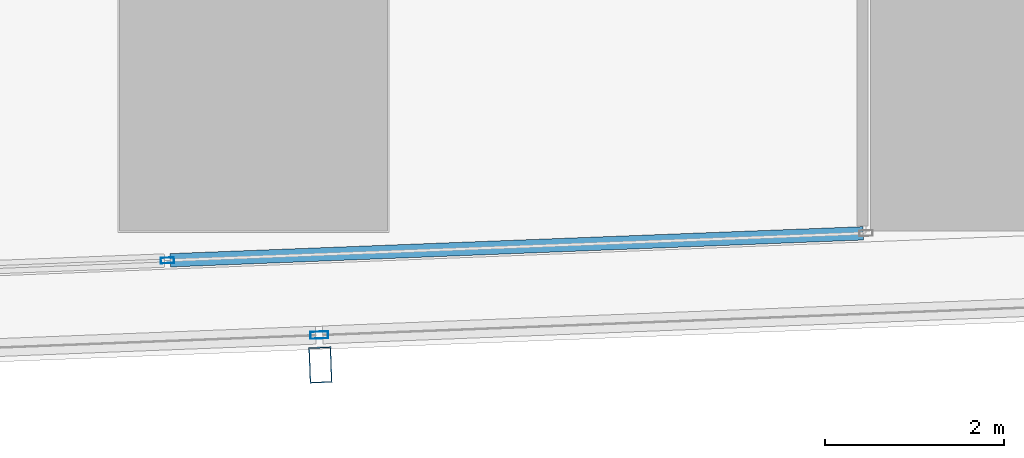
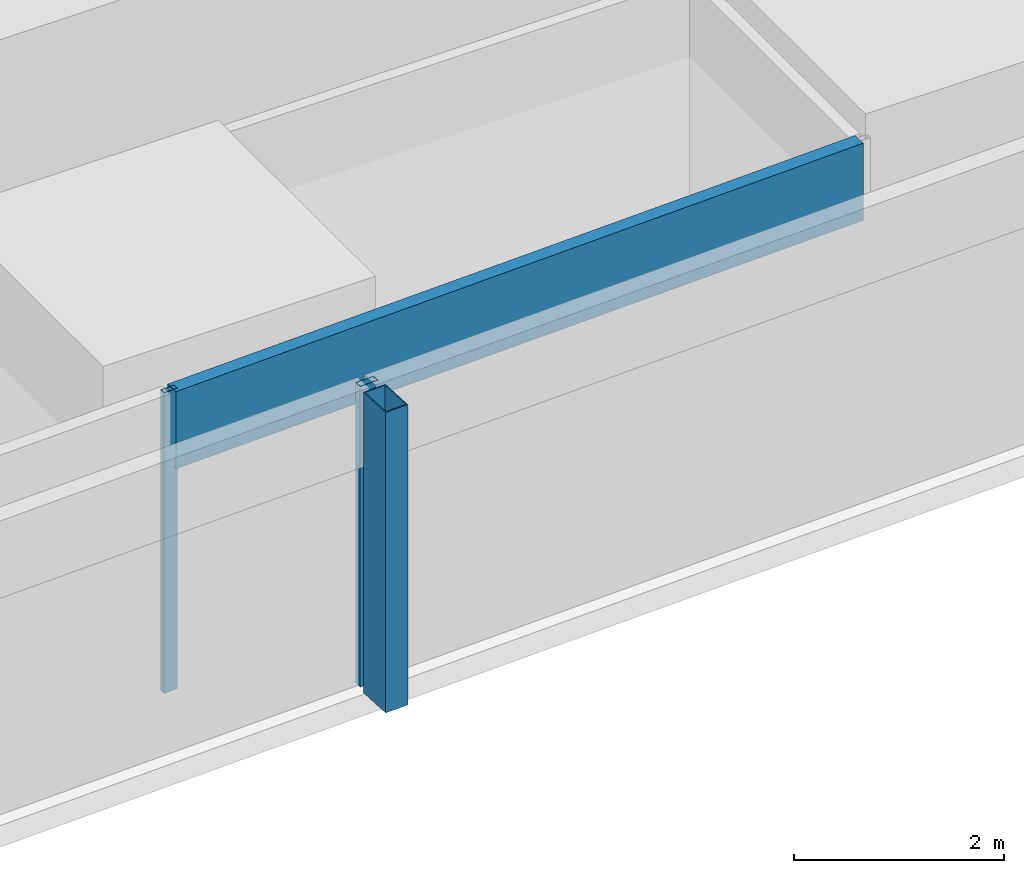
# One storey, part 9 of 39: 4 members, 2 elements without a shape of their own.
"""IFC4 building model written with IfcOpenShell, lengths in metres."""

from ifc_helpers import new_model, si_unit, direction, frame, origin, origin_2d, place, context, subcontext, project, spatial, hollow_rectangle, extrude, material, material_profile, profile_set, type_object, element, aggregate, save


model = new_model("IFC4")

# Units and contexts
model_context = context("Model", 3, precision=1e-05, world=origin(), true_north=direction((0.0, 1.0)))
body_context = subcontext(model_context, "Body", "Model", "MODEL_VIEW")
ifc_project = project(units=[si_unit("LENGTHUNIT", "METRE"), si_unit("AREAUNIT", "SQUARE_METRE"), si_unit("VOLUMEUNIT", "CUBIC_METRE"), si_unit("PLANEANGLEUNIT", "RADIAN"), si_unit("MASSUNIT", "GRAM", prefix="KILO")], contexts=[model_context])

# Site, building, storey
site_placement = place(None, origin())
site = spatial("IfcSite", under=ifc_project, at=site_placement, CompositionType="ELEMENT")
building_placement = place(site_placement, origin())
building = spatial("IfcBuilding", under=site, at=building_placement, Name="Rekha Terrace Tower", CompositionType="ELEMENT")
storey_placement = place(building_placement, frame((0.0, 0.0, 155.300048828125)))
storey = spatial("IfcBuildingStorey", under=building, at=storey_placement, Name="L39", CompositionType="ELEMENT", Elevation=155.300048828125)

# Curtain wall, member
ifc_material_1 = material(Name="Aluminium framing", Category="aluminium")
curtain_wall_type_1 = type_object("IfcCurtainWallType", Name="CW2 double skin outer glazing", PredefinedType="USERDEFINED", material=ifc_material_1)
curtain_wall_1_placement = place(storey_placement, origin())
curtain_wall_1 = element("IfcCurtainWall", 1, at=curtain_wall_1_placement, inside=storey, type_object=curtain_wall_type_1, Name="CW2 double skin outer glazing", ObjectType="DOUBLE SKIN OUTER GLAZING", PredefinedType="USERDEFINED")
ifc_material_2 = material(Name="Steel S355 with fluorocarbon finish", Category="steel")
ifc_material_profile_1 = material_profile(ifc_material_2, hollow_rectangle(XDim=0.25, YDim=0.39990234375, WallThickness=0.012451171875, at=origin_2d()), Name="RHS400x250x12.5")
ifc_profile_set_1 = profile_set([ifc_material_profile_1], Name="Steel S355 with fluorocarbon finish")
member_type_1 = type_object("IfcMemberType", Name="BL1 facade blade RHS 400 x 250", PredefinedType="USERDEFINED", material=ifc_profile_set_1)
member_1_placement = place(storey_placement, frame((42.747314453125, 13.802978515625, 0.0), z_axis=(0.0, 0.0, 1.0), x_axis=(0.999243494356, 0.038890088543, 0.0)))
member_1 = element("IfcMember", 2, at=member_1_placement, type_object=member_type_1, Name="Facade blade", ObjectType="FACADE BLADE", PredefinedType="USERDEFINED", context=body_context, shape_type="SweptSolid", body=[
    extrude(hollow_rectangle(XDim=0.25, YDim=0.39990234375, WallThickness=0.012451171875, at=origin_2d()), origin(), (0.0, 0.0, 1.0), 3.5),
])

# Curtain wall, members
curtain_wall_type_2 = type_object("IfcCurtainWallType", Name="CW1 double skin inner glazing", PredefinedType="USERDEFINED", material=ifc_material_1)
curtain_wall_2_placement = place(storey_placement, origin())
curtain_wall_2 = element("IfcCurtainWall", 3, at=curtain_wall_2_placement, inside=storey, type_object=curtain_wall_type_2, Name="CW1 double skin inner glazing", ObjectType="DOUBLE SKIN INNER GLAZING", PredefinedType="USERDEFINED")
ifc_material_3 = material(Name="Aluminium mullion section", Category="aluminium")
ifc_material_profile_2 = material_profile(ifc_material_3, hollow_rectangle(XDim=0.06494140625, YDim=0.14990234375, WallThickness=0.00390625, at=origin_2d()), Name="AL RHS 65x150")
ifc_profile_set_2 = profile_set([ifc_material_profile_2], Name="Aluminium mullion section")
member_type_2 = type_object("IfcMemberType", Name="CW1 mullion RHS 65 x 150", PredefinedType="MULLION", material=ifc_profile_set_2)
member_2_placement = place(storey_placement, frame((41.036376953125, 14.972412109375, 0.0), z_axis=(0.0, 0.0, 1.0), x_axis=(-0.038889971345, 0.999243498917, 0.0)))
member_2 = element("IfcMember", 4, at=member_2_placement, type_object=member_type_2, Name="CW1 mullion 3", PredefinedType="MULLION", context=body_context, shape_type="SweptSolid", body=[
    extrude(hollow_rectangle(XDim=0.06494140625, YDim=0.14990234375, WallThickness=0.00390625, at=origin_2d()), origin(), (0.0, 0.0, 1.0), 3.5),
])
ifc_material_4 = material(Name="Insulated aluminium spandrel box", Category="aluminium")
ifc_material_profile_3 = material_profile(ifc_material_4, hollow_rectangle(XDim=0.14990234375, YDim=0.89990234375, WallThickness=0.0029296875, at=origin_2d()), Name="AL SPANDREL BOX 150x900")
ifc_profile_set_3 = profile_set([ifc_material_profile_3], Name="Insulated aluminium spandrel box")
member_type_3 = type_object("IfcMemberType", Name="CW1 spandrel transom 150 x 900", PredefinedType="USERDEFINED", material=ifc_profile_set_3)
member_3_placement = place(storey_placement, frame((41.06884765625, 14.9736328125, 3.050048828125), z_axis=(0.999243487711, 0.038890259275, 0.0), x_axis=(-0.038890259275, 0.999243487711, 0.0)))
member_3 = element("IfcMember", 5, at=member_3_placement, type_object=member_type_3, Name="CW1 spandrel transom 3", ObjectType="TRANSOM", PredefinedType="USERDEFINED", context=body_context, shape_type="SweptSolid", body=[
    extrude(hollow_rectangle(XDim=0.14990234375, YDim=0.89990234375, WallThickness=0.0029296875, at=origin_2d()), origin(), (0.0, 0.0, 1.0), 7.7529296875),
])
aggregate(curtain_wall_2, [member_2, member_3])

# Member
ifc_material_profile_4 = material_profile(ifc_material_3, hollow_rectangle(XDim=0.080078125, YDim=0.199951171875, WallThickness=0.00390625, at=origin_2d()), Name="AL RHS 80x200")
ifc_profile_set_4 = profile_set([ifc_material_profile_4], Name="Aluminium mullion section")
member_type_4 = type_object("IfcMemberType", Name="CW2 mullion RHS 80 x 200", PredefinedType="MULLION", material=ifc_profile_set_4)
member_4_placement = place(storey_placement, frame((42.734130859375, 14.137939453125, 0.0), z_axis=(0.0, 0.0, 1.0), x_axis=(-0.038889971345, 0.999243498917, 0.0)))
member_4 = element("IfcMember", 6, at=member_4_placement, type_object=member_type_4, Name="CW2 mullion 3", PredefinedType="MULLION", context=body_context, shape_type="SweptSolid", body=[
    extrude(hollow_rectangle(XDim=0.080078125, YDim=0.199951171875, WallThickness=0.00390625, at=origin_2d()), origin(), (0.0, 0.0, 1.0), 3.5),
])

aggregate(curtain_wall_1, [member_4, member_1])

save(model, "model.ifc")
